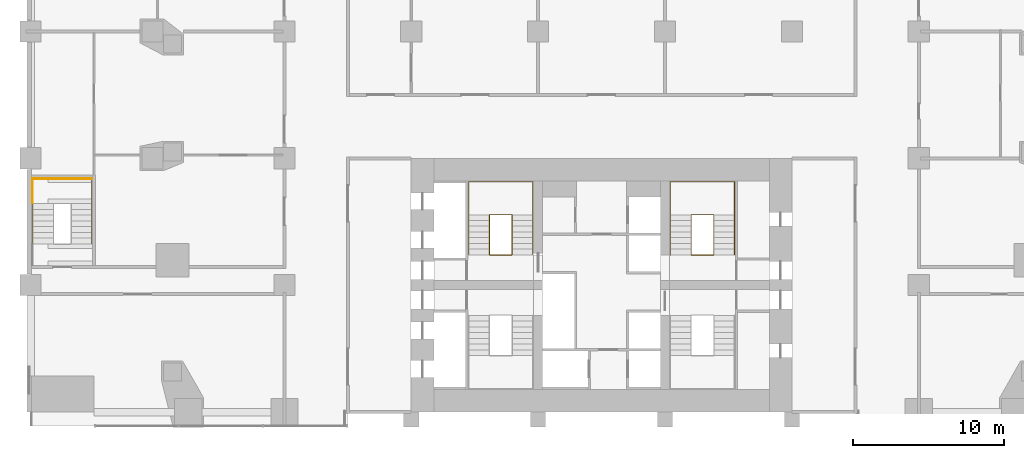
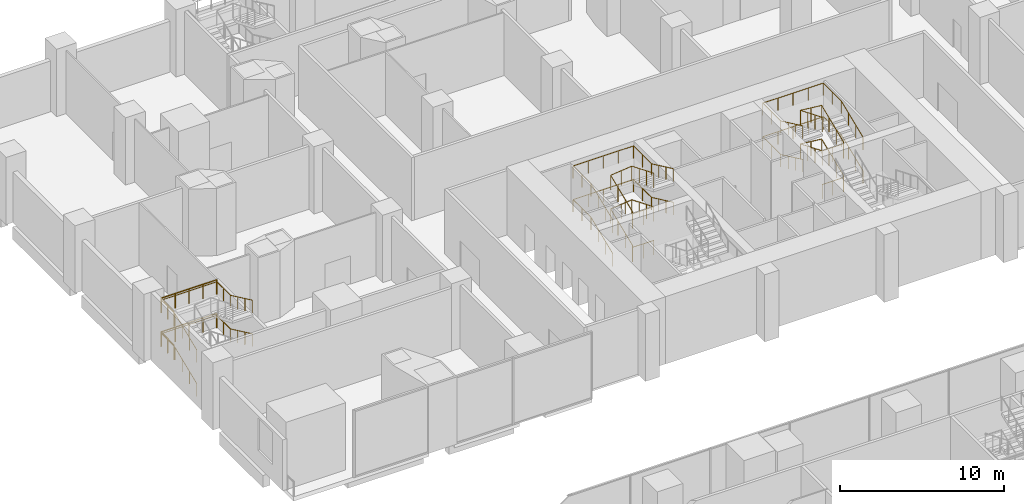
# One storey, part 21 of 24: 14 railings.
"""IFC4 building model written with IfcOpenShell, lengths in metres."""

from ifc_helpers import new_model, si_unit, direction, frame, origin, origin_2d, place, context, subcontext, project, spatial, circle, extrude, material, type_object, element, save


model = new_model("IFC4")

# Units and contexts
model_context = context("Model", 3, precision=1e-05, world=origin(), true_north=direction((0.0, 1.0)))
body_context = subcontext(model_context, "Body", "Model", "MODEL_VIEW")
ifc_project = project(units=[si_unit("LENGTHUNIT", "METRE"), si_unit("AREAUNIT", "SQUARE_METRE"), si_unit("VOLUMEUNIT", "CUBIC_METRE"), si_unit("PLANEANGLEUNIT", "RADIAN"), si_unit("MASSUNIT", "GRAM", prefix="KILO")], contexts=[model_context])

# Site, building, storey
site_placement = place(None, origin())
site = spatial("IfcSite", under=ifc_project, at=site_placement, CompositionType="ELEMENT")
building_placement = place(site_placement, origin())
building = spatial("IfcBuilding", under=site, at=building_placement, Name="Marenta Gate Hotel Tower", CompositionType="ELEMENT")
storey_placement = place(building_placement, frame((0.0, 0.0, 8.0)))
storey = spatial("IfcBuildingStorey", under=building, at=storey_placement, Name="L01", CompositionType="ELEMENT", Elevation=8.0)

# Railings
ifc_material_1 = material(Name="Stainless steel", Category="steel")
railing_type_1 = type_object("IfcRailingType", Name="Core stair handrail 950", PredefinedType="HANDRAIL", material=ifc_material_1)
railing_1_placement = place(storey_placement, frame((-8.800048828125, 10.39990234375, 0.15625)))
element("IfcRailing", 1, at=railing_1_placement, inside=storey, type_object=railing_type_1, Name="HR-950 L01-KR-ST2-1", PredefinedType="HANDRAIL", context=body_context, shape_type="SweptSolid", body=[
    extrude(circle(Radius=0.02392578125, at=origin_2d()), frame((0.0, 0.0, 0.92578125), z_axis=(0.0, 0.924874861033, 0.380271602187), x_axis=(-1.0, 0.0, 0.0)), (0.0, 0.0, 1.0), 2.876220703125),
    extrude(circle(Radius=0.02392578125, at=origin_2d()), frame((0.0, 2.66015625, 2.01953125), z_axis=(0.0, 1.0, 0.0), x_axis=(-1.0, 0.0, 0.0)), (0.0, 0.0, 1.0), 2.18994140625),
    extrude(circle(Radius=0.02392578125, at=origin_2d()), frame((0.0, 4.85009765625, 2.01953125), z_axis=(1.0, 0.0, 0.0), x_axis=(0.0, 1.0, 0.0)), (0.0, 0.0, 1.0), 4.25),
    extrude(circle(Radius=0.02392578125, at=origin_2d()), frame((4.25, 4.85009765625, 2.01953125), z_axis=(0.0, -1.0, 0.0), x_axis=(1.0, 0.0, 0.0)), (0.0, 0.0, 1.0), 2.18994140625),
    extrude(circle(Radius=0.02392578125, at=origin_2d()), frame((4.25, 2.66015625, 2.01953125), z_axis=(0.0, -0.905059511965, 0.425284939543), x_axis=(1.0, 0.0, 0.0)), (0.0, 0.0, 1.0), 2.939208984375),
    extrude(circle(Radius=0.02099609375, at=origin_2d()), origin(), (0.0, 0.0, 1.0), 0.90185546875),
    extrude(circle(Radius=0.02099609375, at=origin_2d()), frame((0.0, 0.88671875, 0.364501953125)), (0.0, 0.0, 1.0), 0.90185546875),
    extrude(circle(Radius=0.02099609375, at=origin_2d()), frame((0.0, 1.7734375, 0.729248046875)), (0.0, 0.0, 1.0), 0.90185546875),
    extrude(circle(Radius=0.02099609375, at=origin_2d()), frame((0.0, 2.66015625, 1.09375)), (0.0, 0.0, 1.0), 0.90185546875),
    extrude(circle(Radius=0.02099609375, at=origin_2d()), frame((0.0, 3.755126953125, 1.09375)), (0.0, 0.0, 1.0), 0.90185546875),
    extrude(circle(Radius=0.02099609375, at=origin_2d()), frame((0.0, 4.85009765625, 1.09375)), (0.0, 0.0, 1.0), 0.90185546875),
    extrude(circle(Radius=0.02099609375, at=origin_2d()), frame((1.0625, 4.85009765625, 1.09375)), (0.0, 0.0, 1.0), 0.90185546875),
    extrude(circle(Radius=0.02099609375, at=origin_2d()), frame((2.125, 4.85009765625, 1.09375)), (0.0, 0.0, 1.0), 0.90185546875),
    extrude(circle(Radius=0.02099609375, at=origin_2d()), frame((3.1875, 4.85009765625, 1.09375)), (0.0, 0.0, 1.0), 0.90185546875),
    extrude(circle(Radius=0.02099609375, at=origin_2d()), frame((4.25, 4.85009765625, 1.09375)), (0.0, 0.0, 1.0), 0.90185546875),
    extrude(circle(Radius=0.02099609375, at=origin_2d()), frame((4.25, 3.755126953125, 1.09375)), (0.0, 0.0, 1.0), 0.90185546875),
    extrude(circle(Radius=0.02099609375, at=origin_2d()), frame((4.25, 2.66015625, 1.09375)), (0.0, 0.0, 1.0), 0.90185546875),
    extrude(circle(Radius=0.02099609375, at=origin_2d()), frame((4.25, 1.7734375, 1.510498046875)), (0.0, 0.0, 1.0), 0.90185546875),
    extrude(circle(Radius=0.02099609375, at=origin_2d()), frame((4.25, 0.88671875, 1.927001953125)), (0.0, 0.0, 1.0), 0.90185546875),
    extrude(circle(Radius=0.02099609375, at=origin_2d()), frame((4.25, 0.0, 2.34375)), (0.0, 0.0, 1.0), 0.90185546875),
])
railing_2_placement = place(storey_placement, frame((-8.800048828125, 10.39990234375, 2.65625)))
element("IfcRailing", 2, at=railing_2_placement, inside=storey, type_object=railing_type_1, Name="HR-950 L01-KR-ST2-3", PredefinedType="HANDRAIL", context=body_context, shape_type="SweptSolid", body=[
    extrude(circle(Radius=0.02392578125, at=origin_2d()), frame((0.0, 0.0, 0.92578125), z_axis=(0.0, 0.924874861033, 0.380271602187), x_axis=(-1.0, 0.0, 0.0)), (0.0, 0.0, 1.0), 2.876220703125),
    extrude(circle(Radius=0.02392578125, at=origin_2d()), frame((0.0, 2.66015625, 2.01953125), z_axis=(0.0, 1.0, 0.0), x_axis=(-1.0, 0.0, 0.0)), (0.0, 0.0, 1.0), 2.18994140625),
    extrude(circle(Radius=0.02392578125, at=origin_2d()), frame((0.0, 4.85009765625, 2.01953125), z_axis=(1.0, 0.0, 0.0), x_axis=(0.0, 1.0, 0.0)), (0.0, 0.0, 1.0), 4.25),
    extrude(circle(Radius=0.02392578125, at=origin_2d()), frame((4.25, 4.85009765625, 2.01953125), z_axis=(0.0, -1.0, 0.0), x_axis=(1.0, 0.0, 0.0)), (0.0, 0.0, 1.0), 2.18994140625),
    extrude(circle(Radius=0.02392578125, at=origin_2d()), frame((4.25, 2.66015625, 2.01953125), z_axis=(0.0, -0.905059511965, 0.425284939543), x_axis=(1.0, 0.0, 0.0)), (0.0, 0.0, 1.0), 2.939208984375),
    extrude(circle(Radius=0.02099609375, at=origin_2d()), origin(), (0.0, 0.0, 1.0), 0.90185546875),
    extrude(circle(Radius=0.02099609375, at=origin_2d()), frame((0.0, 0.88671875, 0.364501953125)), (0.0, 0.0, 1.0), 0.90185546875),
    extrude(circle(Radius=0.02099609375, at=origin_2d()), frame((0.0, 1.7734375, 0.729248046875)), (0.0, 0.0, 1.0), 0.90185546875),
    extrude(circle(Radius=0.02099609375, at=origin_2d()), frame((0.0, 2.66015625, 1.09375)), (0.0, 0.0, 1.0), 0.90185546875),
    extrude(circle(Radius=0.02099609375, at=origin_2d()), frame((0.0, 3.755126953125, 1.09375)), (0.0, 0.0, 1.0), 0.90185546875),
    extrude(circle(Radius=0.02099609375, at=origin_2d()), frame((0.0, 4.85009765625, 1.09375)), (0.0, 0.0, 1.0), 0.90185546875),
    extrude(circle(Radius=0.02099609375, at=origin_2d()), frame((1.0625, 4.85009765625, 1.09375)), (0.0, 0.0, 1.0), 0.90185546875),
    extrude(circle(Radius=0.02099609375, at=origin_2d()), frame((2.125, 4.85009765625, 1.09375)), (0.0, 0.0, 1.0), 0.90185546875),
    extrude(circle(Radius=0.02099609375, at=origin_2d()), frame((3.1875, 4.85009765625, 1.09375)), (0.0, 0.0, 1.0), 0.90185546875),
    extrude(circle(Radius=0.02099609375, at=origin_2d()), frame((4.25, 4.85009765625, 1.09375)), (0.0, 0.0, 1.0), 0.90185546875),
    extrude(circle(Radius=0.02099609375, at=origin_2d()), frame((4.25, 3.755126953125, 1.09375)), (0.0, 0.0, 1.0), 0.90185546875),
    extrude(circle(Radius=0.02099609375, at=origin_2d()), frame((4.25, 2.66015625, 1.09375)), (0.0, 0.0, 1.0), 0.90185546875),
    extrude(circle(Radius=0.02099609375, at=origin_2d()), frame((4.25, 1.7734375, 1.510498046875)), (0.0, 0.0, 1.0), 0.90185546875),
    extrude(circle(Radius=0.02099609375, at=origin_2d()), frame((4.25, 0.88671875, 1.927001953125)), (0.0, 0.0, 1.0), 0.90185546875),
    extrude(circle(Radius=0.02099609375, at=origin_2d()), frame((4.25, 0.0, 2.34375)), (0.0, 0.0, 1.0), 0.90185546875),
])
railing_3_placement = place(storey_placement, frame((8.800048828125, 10.39990234375, 0.15625)))
element("IfcRailing", 3, at=railing_3_placement, inside=storey, type_object=railing_type_1, Name="HR-950 L01-KR-ST4-1", PredefinedType="HANDRAIL", context=body_context, shape_type="SweptSolid", body=[
    extrude(circle(Radius=0.02392578125, at=origin_2d()), frame((0.0, 0.0, 0.92578125), z_axis=(0.0, 0.924874861033, 0.380271602187), x_axis=(-1.0, 0.0, 0.0)), (0.0, 0.0, 1.0), 2.876220703125),
    extrude(circle(Radius=0.02392578125, at=origin_2d()), frame((0.0, 2.66015625, 2.01953125), z_axis=(0.0, 1.0, 0.0), x_axis=(-1.0, 0.0, 0.0)), (0.0, 0.0, 1.0), 2.18994140625),
    extrude(circle(Radius=0.02392578125, at=origin_2d()), frame((0.0, 4.85009765625, 2.01953125), z_axis=(-1.0, 0.0, 0.0), x_axis=(0.0, -1.0, 0.0)), (0.0, 0.0, 1.0), 4.25),
    extrude(circle(Radius=0.02392578125, at=origin_2d()), frame((-4.25, 4.85009765625, 2.01953125), z_axis=(0.0, -1.0, 0.0), x_axis=(1.0, 0.0, 0.0)), (0.0, 0.0, 1.0), 2.18994140625),
    extrude(circle(Radius=0.02392578125, at=origin_2d()), frame((-4.25, 2.66015625, 2.01953125), z_axis=(0.0, -0.905059511965, 0.425284939543), x_axis=(1.0, 0.0, 0.0)), (0.0, 0.0, 1.0), 2.939208984375),
    extrude(circle(Radius=0.02099609375, at=origin_2d()), origin(), (0.0, 0.0, 1.0), 0.90185546875),
    extrude(circle(Radius=0.02099609375, at=origin_2d()), frame((0.0, 0.88671875, 0.364501953125)), (0.0, 0.0, 1.0), 0.90185546875),
    extrude(circle(Radius=0.02099609375, at=origin_2d()), frame((0.0, 1.7734375, 0.729248046875)), (0.0, 0.0, 1.0), 0.90185546875),
    extrude(circle(Radius=0.02099609375, at=origin_2d()), frame((0.0, 2.66015625, 1.09375)), (0.0, 0.0, 1.0), 0.90185546875),
    extrude(circle(Radius=0.02099609375, at=origin_2d()), frame((0.0, 3.755126953125, 1.09375)), (0.0, 0.0, 1.0), 0.90185546875),
    extrude(circle(Radius=0.02099609375, at=origin_2d()), frame((0.0, 4.85009765625, 1.09375)), (0.0, 0.0, 1.0), 0.90185546875),
    extrude(circle(Radius=0.02099609375, at=origin_2d()), frame((-1.0625, 4.85009765625, 1.09375)), (0.0, 0.0, 1.0), 0.90185546875),
    extrude(circle(Radius=0.02099609375, at=origin_2d()), frame((-2.125, 4.85009765625, 1.09375)), (0.0, 0.0, 1.0), 0.90185546875),
    extrude(circle(Radius=0.02099609375, at=origin_2d()), frame((-3.1875, 4.85009765625, 1.09375)), (0.0, 0.0, 1.0), 0.90185546875),
    extrude(circle(Radius=0.02099609375, at=origin_2d()), frame((-4.25, 4.85009765625, 1.09375)), (0.0, 0.0, 1.0), 0.90185546875),
    extrude(circle(Radius=0.02099609375, at=origin_2d()), frame((-4.25, 3.755126953125, 1.09375)), (0.0, 0.0, 1.0), 0.90185546875),
    extrude(circle(Radius=0.02099609375, at=origin_2d()), frame((-4.25, 2.66015625, 1.09375)), (0.0, 0.0, 1.0), 0.90185546875),
    extrude(circle(Radius=0.02099609375, at=origin_2d()), frame((-4.25, 1.7734375, 1.510498046875)), (0.0, 0.0, 1.0), 0.90185546875),
    extrude(circle(Radius=0.02099609375, at=origin_2d()), frame((-4.25, 0.88671875, 1.927001953125)), (0.0, 0.0, 1.0), 0.90185546875),
    extrude(circle(Radius=0.02099609375, at=origin_2d()), frame((-4.25, 0.0, 2.34375)), (0.0, 0.0, 1.0), 0.90185546875),
])
railing_4_placement = place(storey_placement, frame((8.800048828125, 10.39990234375, 2.65625)))
element("IfcRailing", 4, at=railing_4_placement, inside=storey, type_object=railing_type_1, Name="HR-950 L01-KR-ST4-3", PredefinedType="HANDRAIL", context=body_context, shape_type="SweptSolid", body=[
    extrude(circle(Radius=0.02392578125, at=origin_2d()), frame((0.0, 0.0, 0.92578125), z_axis=(0.0, 0.924874861033, 0.380271602187), x_axis=(-1.0, 0.0, 0.0)), (0.0, 0.0, 1.0), 2.876220703125),
    extrude(circle(Radius=0.02392578125, at=origin_2d()), frame((0.0, 2.66015625, 2.01953125), z_axis=(0.0, 1.0, 0.0), x_axis=(-1.0, 0.0, 0.0)), (0.0, 0.0, 1.0), 2.18994140625),
    extrude(circle(Radius=0.02392578125, at=origin_2d()), frame((0.0, 4.85009765625, 2.01953125), z_axis=(-1.0, 0.0, 0.0), x_axis=(0.0, -1.0, 0.0)), (0.0, 0.0, 1.0), 4.25),
    extrude(circle(Radius=0.02392578125, at=origin_2d()), frame((-4.25, 4.85009765625, 2.01953125), z_axis=(0.0, -1.0, 0.0), x_axis=(1.0, 0.0, 0.0)), (0.0, 0.0, 1.0), 2.18994140625),
    extrude(circle(Radius=0.02392578125, at=origin_2d()), frame((-4.25, 2.66015625, 2.01953125), z_axis=(0.0, -0.905059511965, 0.425284939543), x_axis=(1.0, 0.0, 0.0)), (0.0, 0.0, 1.0), 2.939208984375),
    extrude(circle(Radius=0.02099609375, at=origin_2d()), origin(), (0.0, 0.0, 1.0), 0.90185546875),
    extrude(circle(Radius=0.02099609375, at=origin_2d()), frame((0.0, 0.88671875, 0.364501953125)), (0.0, 0.0, 1.0), 0.90185546875),
    extrude(circle(Radius=0.02099609375, at=origin_2d()), frame((0.0, 1.7734375, 0.729248046875)), (0.0, 0.0, 1.0), 0.90185546875),
    extrude(circle(Radius=0.02099609375, at=origin_2d()), frame((0.0, 2.66015625, 1.09375)), (0.0, 0.0, 1.0), 0.90185546875),
    extrude(circle(Radius=0.02099609375, at=origin_2d()), frame((0.0, 3.755126953125, 1.09375)), (0.0, 0.0, 1.0), 0.90185546875),
    extrude(circle(Radius=0.02099609375, at=origin_2d()), frame((0.0, 4.85009765625, 1.09375)), (0.0, 0.0, 1.0), 0.90185546875),
    extrude(circle(Radius=0.02099609375, at=origin_2d()), frame((-1.0625, 4.85009765625, 1.09375)), (0.0, 0.0, 1.0), 0.90185546875),
    extrude(circle(Radius=0.02099609375, at=origin_2d()), frame((-2.125, 4.85009765625, 1.09375)), (0.0, 0.0, 1.0), 0.90185546875),
    extrude(circle(Radius=0.02099609375, at=origin_2d()), frame((-3.1875, 4.85009765625, 1.09375)), (0.0, 0.0, 1.0), 0.90185546875),
    extrude(circle(Radius=0.02099609375, at=origin_2d()), frame((-4.25, 4.85009765625, 1.09375)), (0.0, 0.0, 1.0), 0.90185546875),
    extrude(circle(Radius=0.02099609375, at=origin_2d()), frame((-4.25, 3.755126953125, 1.09375)), (0.0, 0.0, 1.0), 0.90185546875),
    extrude(circle(Radius=0.02099609375, at=origin_2d()), frame((-4.25, 2.66015625, 1.09375)), (0.0, 0.0, 1.0), 0.90185546875),
    extrude(circle(Radius=0.02099609375, at=origin_2d()), frame((-4.25, 1.7734375, 1.510498046875)), (0.0, 0.0, 1.0), 0.90185546875),
    extrude(circle(Radius=0.02099609375, at=origin_2d()), frame((-4.25, 0.88671875, 1.927001953125)), (0.0, 0.0, 1.0), 0.90185546875),
    extrude(circle(Radius=0.02099609375, at=origin_2d()), frame((-4.25, 0.0, 2.34375)), (0.0, 0.0, 1.0), 0.90185546875),
])
railing_5_placement = place(storey_placement, frame((-37.64990234375, 11.1298828125, 0.15625)))
element("IfcRailing", 5, at=railing_5_placement, inside=storey, type_object=railing_type_1, Name="HR-950 L01-KR-PX6-2", PredefinedType="HANDRAIL", context=body_context, shape_type="SweptSolid", body=[
    extrude(circle(Radius=0.02392578125, at=origin_2d()), frame((0.0, 0.0, 0.92578125), z_axis=(0.0, 0.924874861033, 0.380271602187), x_axis=(-1.0, 0.0, 0.0)), (0.0, 0.0, 1.0), 2.876220703125),
    extrude(circle(Radius=0.02392578125, at=origin_2d()), frame((0.0, 2.66015625, 2.01953125), z_axis=(0.0, 1.0, 0.0), x_axis=(-1.0, 0.0, 0.0)), (0.0, 0.0, 1.0), 1.659912109375),
    extrude(circle(Radius=0.02392578125, at=origin_2d()), frame((0.0, 4.320068359375, 2.01953125), z_axis=(1.0, 0.0, 0.0), x_axis=(0.0, 1.0, 0.0)), (0.0, 0.0, 1.0), 3.89990234375),
    extrude(circle(Radius=0.02392578125, at=origin_2d()), frame((3.89990234375, 4.320068359375, 2.01953125), z_axis=(0.0, -1.0, 0.0), x_axis=(1.0, 0.0, 0.0)), (0.0, 0.0, 1.0), 1.659912109375),
    extrude(circle(Radius=0.02392578125, at=origin_2d()), frame((3.89990234375, 2.66015625, 2.01953125), z_axis=(0.0, -0.905059511965, 0.425284939543), x_axis=(1.0, 0.0, 0.0)), (0.0, 0.0, 1.0), 2.939208984375),
    extrude(circle(Radius=0.02099609375, at=origin_2d()), origin(), (0.0, 0.0, 1.0), 0.90185546875),
    extrude(circle(Radius=0.02099609375, at=origin_2d()), frame((0.0, 0.88671875, 0.364501953125)), (0.0, 0.0, 1.0), 0.90185546875),
    extrude(circle(Radius=0.02099609375, at=origin_2d()), frame((0.0, 1.7734375, 0.729248046875)), (0.0, 0.0, 1.0), 0.90185546875),
    extrude(circle(Radius=0.02099609375, at=origin_2d()), frame((0.0, 2.66015625, 1.09375)), (0.0, 0.0, 1.0), 0.90185546875),
    extrude(circle(Radius=0.02099609375, at=origin_2d()), frame((0.0, 3.490234375, 1.09375)), (0.0, 0.0, 1.0), 0.90185546875),
    extrude(circle(Radius=0.02099609375, at=origin_2d()), frame((0.0, 4.320068359375, 1.09375)), (0.0, 0.0, 1.0), 0.90185546875),
    extrude(circle(Radius=0.02099609375, at=origin_2d()), frame((0.97509765625, 4.320068359375, 1.09375)), (0.0, 0.0, 1.0), 0.90185546875),
    extrude(circle(Radius=0.02099609375, at=origin_2d()), frame((1.949951171875, 4.320068359375, 1.09375)), (0.0, 0.0, 1.0), 0.90185546875),
    extrude(circle(Radius=0.02099609375, at=origin_2d()), frame((2.9248046875, 4.320068359375, 1.09375)), (0.0, 0.0, 1.0), 0.90185546875),
    extrude(circle(Radius=0.02099609375, at=origin_2d()), frame((3.89990234375, 4.320068359375, 1.09375)), (0.0, 0.0, 1.0), 0.90185546875),
    extrude(circle(Radius=0.02099609375, at=origin_2d()), frame((3.89990234375, 3.490234375, 1.09375)), (0.0, 0.0, 1.0), 0.90185546875),
    extrude(circle(Radius=0.02099609375, at=origin_2d()), frame((3.89990234375, 2.66015625, 1.09375)), (0.0, 0.0, 1.0), 0.90185546875),
    extrude(circle(Radius=0.02099609375, at=origin_2d()), frame((3.89990234375, 1.7734375, 1.510498046875)), (0.0, 0.0, 1.0), 0.90185546875),
    extrude(circle(Radius=0.02099609375, at=origin_2d()), frame((3.89990234375, 0.88671875, 1.927001953125)), (0.0, 0.0, 1.0), 0.90185546875),
    extrude(circle(Radius=0.02099609375, at=origin_2d()), frame((3.89990234375, 0.0, 2.34375)), (0.0, 0.0, 1.0), 0.90185546875),
])
railing_6_placement = place(storey_placement, frame((-37.64990234375, 11.1298828125, 2.65625)))
element("IfcRailing", 6, at=railing_6_placement, inside=storey, type_object=railing_type_1, Name="HR-950 L01-KR-PX6-5", PredefinedType="HANDRAIL", context=body_context, shape_type="SweptSolid", body=[
    extrude(circle(Radius=0.02392578125, at=origin_2d()), frame((0.0, 0.0, 0.92578125), z_axis=(0.0, 0.924874861033, 0.380271602187), x_axis=(-1.0, 0.0, 0.0)), (0.0, 0.0, 1.0), 2.876220703125),
    extrude(circle(Radius=0.02392578125, at=origin_2d()), frame((0.0, 2.66015625, 2.01953125), z_axis=(0.0, 1.0, 0.0), x_axis=(-1.0, 0.0, 0.0)), (0.0, 0.0, 1.0), 1.659912109375),
    extrude(circle(Radius=0.02392578125, at=origin_2d()), frame((0.0, 4.320068359375, 2.01953125), z_axis=(1.0, 0.0, 0.0), x_axis=(0.0, 1.0, 0.0)), (0.0, 0.0, 1.0), 3.89990234375),
    extrude(circle(Radius=0.02392578125, at=origin_2d()), frame((3.89990234375, 4.320068359375, 2.01953125), z_axis=(0.0, -1.0, 0.0), x_axis=(1.0, 0.0, 0.0)), (0.0, 0.0, 1.0), 1.659912109375),
    extrude(circle(Radius=0.02392578125, at=origin_2d()), frame((3.89990234375, 2.66015625, 2.01953125), z_axis=(0.0, -0.905059511965, 0.425284939543), x_axis=(1.0, 0.0, 0.0)), (0.0, 0.0, 1.0), 2.939208984375),
    extrude(circle(Radius=0.02099609375, at=origin_2d()), origin(), (0.0, 0.0, 1.0), 0.90185546875),
    extrude(circle(Radius=0.02099609375, at=origin_2d()), frame((0.0, 0.88671875, 0.364501953125)), (0.0, 0.0, 1.0), 0.90185546875),
    extrude(circle(Radius=0.02099609375, at=origin_2d()), frame((0.0, 1.7734375, 0.729248046875)), (0.0, 0.0, 1.0), 0.90185546875),
    extrude(circle(Radius=0.02099609375, at=origin_2d()), frame((0.0, 2.66015625, 1.09375)), (0.0, 0.0, 1.0), 0.90185546875),
    extrude(circle(Radius=0.02099609375, at=origin_2d()), frame((0.0, 3.490234375, 1.09375)), (0.0, 0.0, 1.0), 0.90185546875),
    extrude(circle(Radius=0.02099609375, at=origin_2d()), frame((0.0, 4.320068359375, 1.09375)), (0.0, 0.0, 1.0), 0.90185546875),
    extrude(circle(Radius=0.02099609375, at=origin_2d()), frame((0.97509765625, 4.320068359375, 1.09375)), (0.0, 0.0, 1.0), 0.90185546875),
    extrude(circle(Radius=0.02099609375, at=origin_2d()), frame((1.949951171875, 4.320068359375, 1.09375)), (0.0, 0.0, 1.0), 0.90185546875),
    extrude(circle(Radius=0.02099609375, at=origin_2d()), frame((2.9248046875, 4.320068359375, 1.09375)), (0.0, 0.0, 1.0), 0.90185546875),
    extrude(circle(Radius=0.02099609375, at=origin_2d()), frame((3.89990234375, 4.320068359375, 1.09375)), (0.0, 0.0, 1.0), 0.90185546875),
    extrude(circle(Radius=0.02099609375, at=origin_2d()), frame((3.89990234375, 3.490234375, 1.09375)), (0.0, 0.0, 1.0), 0.90185546875),
    extrude(circle(Radius=0.02099609375, at=origin_2d()), frame((3.89990234375, 2.66015625, 1.09375)), (0.0, 0.0, 1.0), 0.90185546875),
    extrude(circle(Radius=0.02099609375, at=origin_2d()), frame((3.89990234375, 1.7734375, 1.510498046875)), (0.0, 0.0, 1.0), 0.90185546875),
    extrude(circle(Radius=0.02099609375, at=origin_2d()), frame((3.89990234375, 0.88671875, 1.927001953125)), (0.0, 0.0, 1.0), 0.90185546875),
    extrude(circle(Radius=0.02099609375, at=origin_2d()), frame((3.89990234375, 0.0, 2.34375)), (0.0, 0.0, 1.0), 0.90185546875),
])
ifc_material_2 = material(Name="Stainless steel", Category="steel")
railing_type_2 = type_object("IfcRailingType", Name="Core stair well guard 1100", PredefinedType="GUARDRAIL", material=ifc_material_2)
railing_7_placement = place(storey_placement, frame((-5.929931640625, 10.39990234375, 0.0)))
element("IfcRailing", 7, at=railing_7_placement, inside=storey, type_object=railing_type_2, Name="GR-1100 L01-KR-ST2-2", PredefinedType="GUARDRAIL", context=body_context, shape_type="SweptSolid", body=[
    extrude(circle(Radius=0.02392578125, at=origin_2d()), frame((0.0, 0.0, 1.076171875), z_axis=(-1.0, 0.0, 0.0), x_axis=(0.0, -1.0, 0.0)), (0.0, 0.0, 1.0), 1.489990234375),
    extrude(circle(Radius=0.02392578125, at=origin_2d()), frame((-1.489990234375, 0.0, 1.076171875), z_axis=(0.0, 0.0, 1.0), x_axis=(1.0, 0.0, 0.0)), (0.0, 0.0, 1.0), 0.15625),
    extrude(circle(Radius=0.02392578125, at=origin_2d()), frame((-1.489990234375, 0.0, 1.232421875), z_axis=(0.0, 0.924874861033, 0.380271602187), x_axis=(-1.0, 0.0, 0.0)), (0.0, 0.0, 1.0), 2.876220703125),
    extrude(circle(Radius=0.02392578125, at=origin_2d()), frame((-1.489990234375, 2.66015625, 2.326171875), z_axis=(0.994546451282, 0.0, 0.104294564775), x_axis=(0.0, 1.0, 0.0)), (0.0, 0.0, 1.0), 1.498046875),
    extrude(circle(Radius=0.02392578125, at=origin_2d()), frame((0.0, 2.66015625, 2.482421875), z_axis=(0.0, -0.924874861033, 0.380271602187), x_axis=(1.0, 0.0, 0.0)), (0.0, 0.0, 1.0), 2.876220703125),
    extrude(circle(Radius=0.02099609375, at=origin_2d()), origin(), (0.0, 0.0, 1.0), 1.052001953125),
    extrude(circle(Radius=0.02099609375, at=origin_2d()), frame((-0.7451171875, 0.0, 0.0)), (0.0, 0.0, 1.0), 1.052001953125),
    extrude(circle(Radius=0.02099609375, at=origin_2d()), frame((-1.489990234375, 0.0, 0.0)), (0.0, 0.0, 1.0), 1.052001953125),
    extrude(circle(Radius=0.02099609375, at=origin_2d()), frame((-1.489990234375, 0.0, 0.15625)), (0.0, 0.0, 1.0), 1.052001953125),
    extrude(circle(Radius=0.02099609375, at=origin_2d()), frame((-1.489990234375, 0.88671875, 0.520751953125)), (0.0, 0.0, 1.0), 1.052001953125),
    extrude(circle(Radius=0.02099609375, at=origin_2d()), frame((-1.489990234375, 1.7734375, 0.885498046875)), (0.0, 0.0, 1.0), 1.052001953125),
    extrude(circle(Radius=0.02099609375, at=origin_2d()), frame((-1.489990234375, 2.66015625, 1.25)), (0.0, 0.0, 1.0), 1.052001953125),
    extrude(circle(Radius=0.02099609375, at=origin_2d()), frame((-0.7451171875, 2.66015625, 1.328125)), (0.0, 0.0, 1.0), 1.052001953125),
    extrude(circle(Radius=0.02099609375, at=origin_2d()), frame((0.0, 2.66015625, 1.40625)), (0.0, 0.0, 1.0), 1.052001953125),
    extrude(circle(Radius=0.02099609375, at=origin_2d()), frame((0.0, 1.7734375, 1.770751953125)), (0.0, 0.0, 1.0), 1.052001953125),
    extrude(circle(Radius=0.02099609375, at=origin_2d()), frame((0.0, 0.88671875, 2.135498046875)), (0.0, 0.0, 1.0), 1.052001953125),
    extrude(circle(Radius=0.02099609375, at=origin_2d()), frame((0.0, 0.0, 2.5)), (0.0, 0.0, 1.0), 1.052001953125),
])
railing_8_placement = place(storey_placement, frame((-5.929931640625, 10.39990234375, 2.5)))
element("IfcRailing", 8, at=railing_8_placement, inside=storey, type_object=railing_type_2, Name="GR-1100 L01-KR-ST2-4", PredefinedType="GUARDRAIL", context=body_context, shape_type="SweptSolid", body=[
    extrude(circle(Radius=0.02392578125, at=origin_2d()), frame((0.0, 0.0, 1.076171875), z_axis=(-1.0, 0.0, 0.0), x_axis=(0.0, -1.0, 0.0)), (0.0, 0.0, 1.0), 1.489990234375),
    extrude(circle(Radius=0.02392578125, at=origin_2d()), frame((-1.489990234375, 0.0, 1.076171875), z_axis=(0.0, 0.0, 1.0), x_axis=(1.0, 0.0, 0.0)), (0.0, 0.0, 1.0), 0.15625),
    extrude(circle(Radius=0.02392578125, at=origin_2d()), frame((-1.489990234375, 0.0, 1.232421875), z_axis=(0.0, 0.924874861033, 0.380271602187), x_axis=(-1.0, 0.0, 0.0)), (0.0, 0.0, 1.0), 2.876220703125),
    extrude(circle(Radius=0.02392578125, at=origin_2d()), frame((-1.489990234375, 2.66015625, 2.326171875), z_axis=(0.994546451282, 0.0, 0.104294564775), x_axis=(0.0, 1.0, 0.0)), (0.0, 0.0, 1.0), 1.498046875),
    extrude(circle(Radius=0.02392578125, at=origin_2d()), frame((0.0, 2.66015625, 2.482421875), z_axis=(0.0, -0.924874861033, 0.380271602187), x_axis=(1.0, 0.0, 0.0)), (0.0, 0.0, 1.0), 2.876220703125),
    extrude(circle(Radius=0.02099609375, at=origin_2d()), origin(), (0.0, 0.0, 1.0), 1.052001953125),
    extrude(circle(Radius=0.02099609375, at=origin_2d()), frame((-0.7451171875, 0.0, 0.0)), (0.0, 0.0, 1.0), 1.052001953125),
    extrude(circle(Radius=0.02099609375, at=origin_2d()), frame((-1.489990234375, 0.0, 0.0)), (0.0, 0.0, 1.0), 1.052001953125),
    extrude(circle(Radius=0.02099609375, at=origin_2d()), frame((-1.489990234375, 0.0, 0.15625)), (0.0, 0.0, 1.0), 1.052001953125),
    extrude(circle(Radius=0.02099609375, at=origin_2d()), frame((-1.489990234375, 0.88671875, 0.520751953125)), (0.0, 0.0, 1.0), 1.052001953125),
    extrude(circle(Radius=0.02099609375, at=origin_2d()), frame((-1.489990234375, 1.7734375, 0.885498046875)), (0.0, 0.0, 1.0), 1.052001953125),
    extrude(circle(Radius=0.02099609375, at=origin_2d()), frame((-1.489990234375, 2.66015625, 1.25)), (0.0, 0.0, 1.0), 1.052001953125),
    extrude(circle(Radius=0.02099609375, at=origin_2d()), frame((-0.7451171875, 2.66015625, 1.328125)), (0.0, 0.0, 1.0), 1.052001953125),
    extrude(circle(Radius=0.02099609375, at=origin_2d()), frame((0.0, 2.66015625, 1.40625)), (0.0, 0.0, 1.0), 1.052001953125),
    extrude(circle(Radius=0.02099609375, at=origin_2d()), frame((0.0, 1.7734375, 1.770751953125)), (0.0, 0.0, 1.0), 1.052001953125),
    extrude(circle(Radius=0.02099609375, at=origin_2d()), frame((0.0, 0.88671875, 2.135498046875)), (0.0, 0.0, 1.0), 1.052001953125),
    extrude(circle(Radius=0.02099609375, at=origin_2d()), frame((0.0, 0.0, 2.5)), (0.0, 0.0, 1.0), 1.052001953125),
])
railing_9_placement = place(storey_placement, frame((5.929931640625, 10.39990234375, 0.0)))
element("IfcRailing", 9, at=railing_9_placement, inside=storey, type_object=railing_type_2, Name="GR-1100 L01-KR-ST4-2", PredefinedType="GUARDRAIL", context=body_context, shape_type="SweptSolid", body=[
    extrude(circle(Radius=0.02392578125, at=origin_2d()), frame((0.0, 0.0, 1.076171875), z_axis=(1.0, 0.0, 0.0), x_axis=(0.0, 1.0, 0.0)), (0.0, 0.0, 1.0), 1.489990234375),
    extrude(circle(Radius=0.02392578125, at=origin_2d()), frame((1.489990234375, 0.0, 1.076171875), z_axis=(0.0, 0.0, 1.0), x_axis=(1.0, 0.0, 0.0)), (0.0, 0.0, 1.0), 0.15625),
    extrude(circle(Radius=0.02392578125, at=origin_2d()), frame((1.489990234375, 0.0, 1.232421875), z_axis=(0.0, 0.924874861033, 0.380271602187), x_axis=(-1.0, 0.0, 0.0)), (0.0, 0.0, 1.0), 2.876220703125),
    extrude(circle(Radius=0.02392578125, at=origin_2d()), frame((1.489990234375, 2.66015625, 2.326171875), z_axis=(-0.994546451282, 0.0, 0.104294564775), x_axis=(0.0, -1.0, 0.0)), (0.0, 0.0, 1.0), 1.498046875),
    extrude(circle(Radius=0.02392578125, at=origin_2d()), frame((0.0, 2.66015625, 2.482421875), z_axis=(0.0, -0.924874861033, 0.380271602187), x_axis=(1.0, 0.0, 0.0)), (0.0, 0.0, 1.0), 2.876220703125),
    extrude(circle(Radius=0.02099609375, at=origin_2d()), origin(), (0.0, 0.0, 1.0), 1.052001953125),
    extrude(circle(Radius=0.02099609375, at=origin_2d()), frame((0.7451171875, 0.0, 0.0)), (0.0, 0.0, 1.0), 1.052001953125),
    extrude(circle(Radius=0.02099609375, at=origin_2d()), frame((1.489990234375, 0.0, 0.0)), (0.0, 0.0, 1.0), 1.052001953125),
    extrude(circle(Radius=0.02099609375, at=origin_2d()), frame((1.489990234375, 0.0, 0.15625)), (0.0, 0.0, 1.0), 1.052001953125),
    extrude(circle(Radius=0.02099609375, at=origin_2d()), frame((1.489990234375, 0.88671875, 0.520751953125)), (0.0, 0.0, 1.0), 1.052001953125),
    extrude(circle(Radius=0.02099609375, at=origin_2d()), frame((1.489990234375, 1.7734375, 0.885498046875)), (0.0, 0.0, 1.0), 1.052001953125),
    extrude(circle(Radius=0.02099609375, at=origin_2d()), frame((1.489990234375, 2.66015625, 1.25)), (0.0, 0.0, 1.0), 1.052001953125),
    extrude(circle(Radius=0.02099609375, at=origin_2d()), frame((0.7451171875, 2.66015625, 1.328125)), (0.0, 0.0, 1.0), 1.052001953125),
    extrude(circle(Radius=0.02099609375, at=origin_2d()), frame((0.0, 2.66015625, 1.40625)), (0.0, 0.0, 1.0), 1.052001953125),
    extrude(circle(Radius=0.02099609375, at=origin_2d()), frame((0.0, 1.7734375, 1.770751953125)), (0.0, 0.0, 1.0), 1.052001953125),
    extrude(circle(Radius=0.02099609375, at=origin_2d()), frame((0.0, 0.88671875, 2.135498046875)), (0.0, 0.0, 1.0), 1.052001953125),
    extrude(circle(Radius=0.02099609375, at=origin_2d()), frame((0.0, 0.0, 2.5)), (0.0, 0.0, 1.0), 1.052001953125),
])
railing_10_placement = place(storey_placement, frame((5.929931640625, 10.39990234375, 2.5)))
element("IfcRailing", 10, at=railing_10_placement, inside=storey, type_object=railing_type_2, Name="GR-1100 L01-KR-ST4-4", PredefinedType="GUARDRAIL", context=body_context, shape_type="SweptSolid", body=[
    extrude(circle(Radius=0.02392578125, at=origin_2d()), frame((0.0, 0.0, 1.076171875), z_axis=(1.0, 0.0, 0.0), x_axis=(0.0, 1.0, 0.0)), (0.0, 0.0, 1.0), 1.489990234375),
    extrude(circle(Radius=0.02392578125, at=origin_2d()), frame((1.489990234375, 0.0, 1.076171875), z_axis=(0.0, 0.0, 1.0), x_axis=(1.0, 0.0, 0.0)), (0.0, 0.0, 1.0), 0.15625),
    extrude(circle(Radius=0.02392578125, at=origin_2d()), frame((1.489990234375, 0.0, 1.232421875), z_axis=(0.0, 0.924874861033, 0.380271602187), x_axis=(-1.0, 0.0, 0.0)), (0.0, 0.0, 1.0), 2.876220703125),
    extrude(circle(Radius=0.02392578125, at=origin_2d()), frame((1.489990234375, 2.66015625, 2.326171875), z_axis=(-0.994546451282, 0.0, 0.104294564775), x_axis=(0.0, -1.0, 0.0)), (0.0, 0.0, 1.0), 1.498046875),
    extrude(circle(Radius=0.02392578125, at=origin_2d()), frame((0.0, 2.66015625, 2.482421875), z_axis=(0.0, -0.924874861033, 0.380271602187), x_axis=(1.0, 0.0, 0.0)), (0.0, 0.0, 1.0), 2.876220703125),
    extrude(circle(Radius=0.02099609375, at=origin_2d()), origin(), (0.0, 0.0, 1.0), 1.052001953125),
    extrude(circle(Radius=0.02099609375, at=origin_2d()), frame((0.7451171875, 0.0, 0.0)), (0.0, 0.0, 1.0), 1.052001953125),
    extrude(circle(Radius=0.02099609375, at=origin_2d()), frame((1.489990234375, 0.0, 0.0)), (0.0, 0.0, 1.0), 1.052001953125),
    extrude(circle(Radius=0.02099609375, at=origin_2d()), frame((1.489990234375, 0.0, 0.15625)), (0.0, 0.0, 1.0), 1.052001953125),
    extrude(circle(Radius=0.02099609375, at=origin_2d()), frame((1.489990234375, 0.88671875, 0.520751953125)), (0.0, 0.0, 1.0), 1.052001953125),
    extrude(circle(Radius=0.02099609375, at=origin_2d()), frame((1.489990234375, 1.7734375, 0.885498046875)), (0.0, 0.0, 1.0), 1.052001953125),
    extrude(circle(Radius=0.02099609375, at=origin_2d()), frame((1.489990234375, 2.66015625, 1.25)), (0.0, 0.0, 1.0), 1.052001953125),
    extrude(circle(Radius=0.02099609375, at=origin_2d()), frame((0.7451171875, 2.66015625, 1.328125)), (0.0, 0.0, 1.0), 1.052001953125),
    extrude(circle(Radius=0.02099609375, at=origin_2d()), frame((0.0, 2.66015625, 1.40625)), (0.0, 0.0, 1.0), 1.052001953125),
    extrude(circle(Radius=0.02099609375, at=origin_2d()), frame((0.0, 1.7734375, 1.770751953125)), (0.0, 0.0, 1.0), 1.052001953125),
    extrude(circle(Radius=0.02099609375, at=origin_2d()), frame((0.0, 0.88671875, 2.135498046875)), (0.0, 0.0, 1.0), 1.052001953125),
    extrude(circle(Radius=0.02099609375, at=origin_2d()), frame((0.0, 0.0, 2.5)), (0.0, 0.0, 1.0), 1.052001953125),
])
for number, where, name in (
    (11, (-37.64990234375, 15.449951171875, 1.25), "GR-1100 L01-KR-PX6-1"),
    (12, (-37.64990234375, 15.449951171875, 3.75), "GR-1100 L01-KR-PX6-4"),
):
    element("IfcRailing", number, at=place(storey_placement, frame(where)), inside=storey, type_object=railing_type_2, Name=name, PredefinedType="GUARDRAIL", context=body_context, shape_type="SweptSolid", body=[
        extrude(circle(Radius=0.02392578125, at=origin_2d()), frame((0.0, 0.0, 1.076171875), z_axis=(1.0, 0.0, 0.0), x_axis=(0.0, 1.0, 0.0)), (0.0, 0.0, 1.0), 3.89990234375),
        extrude(circle(Radius=0.02099609375, at=origin_2d()), origin(), (0.0, 0.0, 1.0), 1.052001953125),
        extrude(circle(Radius=0.02099609375, at=origin_2d()), frame((0.97509765625, 0.0, 0.0)), (0.0, 0.0, 1.0), 1.052001953125),
        extrude(circle(Radius=0.02099609375, at=origin_2d()), frame((1.949951171875, 0.0, 0.0)), (0.0, 0.0, 1.0), 1.052001953125),
        extrude(circle(Radius=0.02099609375, at=origin_2d()), frame((2.9248046875, 0.0, 0.0)), (0.0, 0.0, 1.0), 1.052001953125),
        extrude(circle(Radius=0.02099609375, at=origin_2d()), frame((3.89990234375, 0.0, 0.0)), (0.0, 0.0, 1.0), 1.052001953125),
    ])
for number, where, name in (
    (13, (-37.679931640625, 13.840087890625, 1.25), "GR-1100 L01-KR-PX6-7"),
    (14, (-37.679931640625, 13.840087890625, 3.75), "GR-1100 L01-KR-PX6-9"),
):
    element("IfcRailing", number, at=place(storey_placement, frame(where)), inside=storey, type_object=railing_type_2, Name=name, PredefinedType="GUARDRAIL", context=body_context, shape_type="SweptSolid", body=[
        extrude(circle(Radius=0.02392578125, at=origin_2d()), frame((0.0, 0.0, 1.076171875), z_axis=(0.0, 1.0, 0.0), x_axis=(-1.0, 0.0, 0.0)), (0.0, 0.0, 1.0), 1.60986328125),
        extrude(circle(Radius=0.02099609375, at=origin_2d()), origin(), (0.0, 0.0, 1.0), 1.052001953125),
        extrude(circle(Radius=0.02099609375, at=origin_2d()), frame((0.0, 0.804931640625, 0.0)), (0.0, 0.0, 1.0), 1.052001953125),
        extrude(circle(Radius=0.02099609375, at=origin_2d()), frame((0.0, 1.60986328125, 0.0)), (0.0, 0.0, 1.0), 1.052001953125),
    ])

save(model, "model.ifc")
